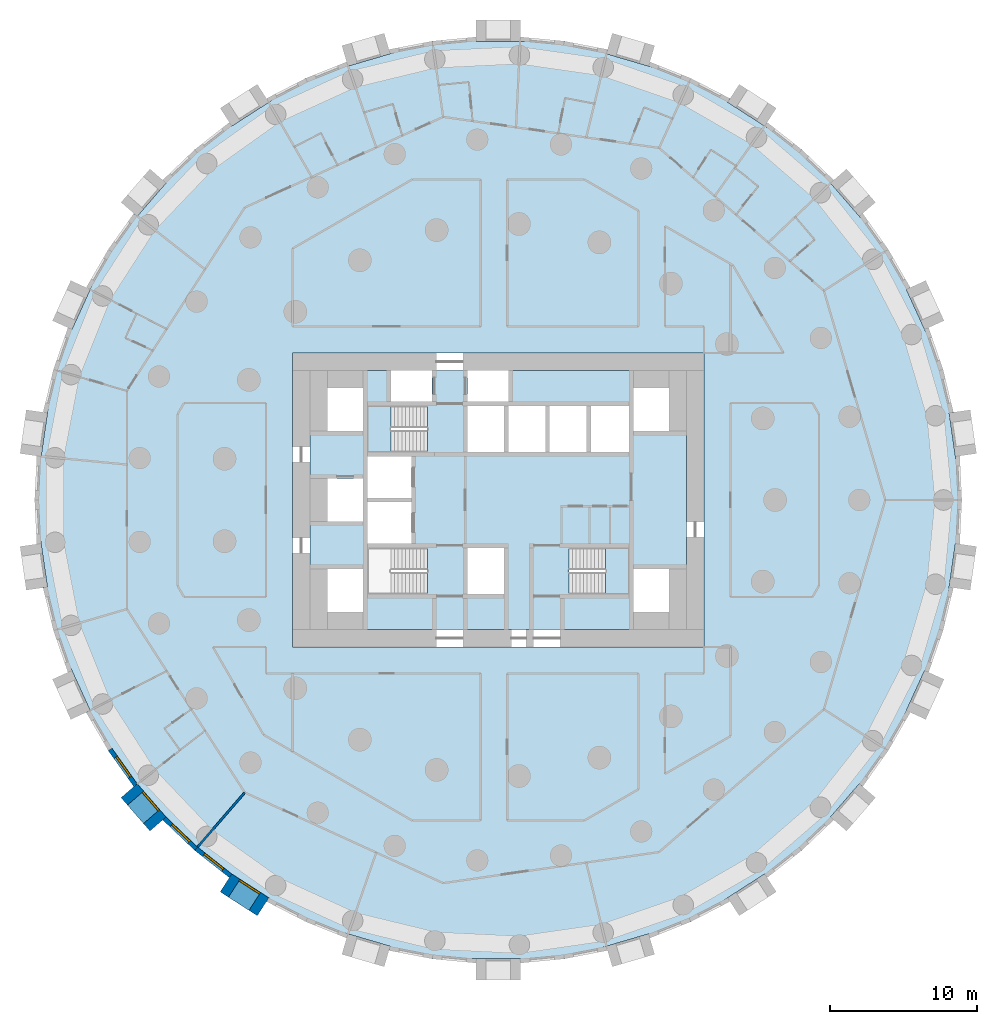
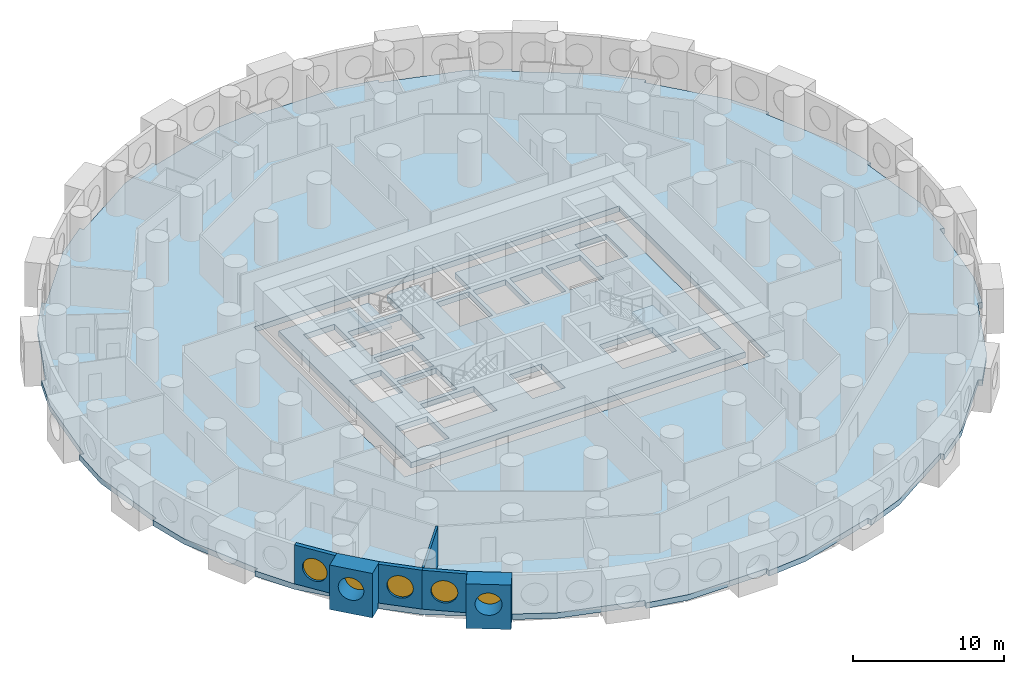
# One storey, part 2 of 12: 6 walls, 5 windows, 4 slabs, 5 openings, 2 elements without a shape of their own.
"""IFC4 building model written with IfcOpenShell, lengths in metres."""

from ifc_helpers import new_model, si_unit, direction, frame, frame_2d, origin, origin_2d, place, context, subcontext, project, spatial, polyline, rectangle, circle, outline, extrude, material, layer, layer_set, type_object, element, fill, aggregate, save


model = new_model("IFC4")

# Units and contexts
model_context = context("Model", 3, precision=1e-05, world=origin(), true_north=direction((0.0, 1.0)))
body_context = subcontext(model_context, "Body", "Model", "MODEL_VIEW")
ifc_project = project(units=[si_unit("LENGTHUNIT", "METRE"), si_unit("AREAUNIT", "SQUARE_METRE"), si_unit("VOLUMEUNIT", "CUBIC_METRE"), si_unit("PLANEANGLEUNIT", "RADIAN"), si_unit("MASSUNIT", "GRAM", prefix="KILO")], contexts=[model_context])

# Site, building, storey
site_placement = place(None, origin())
site = spatial("IfcSite", under=ifc_project, at=site_placement, CompositionType="ELEMENT")
building_placement = place(site_placement, origin())
building = spatial("IfcBuilding", under=site, at=building_placement, Name="Tracery Tower", CompositionType="ELEMENT")
storey_placement = place(building_placement, frame((0.0, 0.0, 57.0)))
storey = spatial("IfcBuildingStorey", under=building, at=storey_placement, Name="L13", CompositionType="ELEMENT", Elevation=57.0)

# Slabs
ifc_material_1 = material(Name="Concrete C60/75", Category="concrete")
ifc_layer_1 = layer(ifc_material_1, 0.449951171875)
ifc_layer_set_1 = layer_set([ifc_layer_1], Name="Core floor slab 450 C60")
slab_type_1 = type_object("IfcSlabType", Name="Core floor slab 450 C60", PredefinedType="FLOOR", material=ifc_layer_set_1)
slab_1_placement = place(storey_placement, frame((0.0, 0.0, -0.449951171875)))
element("IfcSlab", 1, at=slab_1_placement, inside=storey, type_object=slab_type_1, Name="L13 core floor 1", PredefinedType="FLOOR", context=body_context, shape_type="SweptSolid", body=[
    extrude(outline(polyline([(-12.800048828125, 8.800048828125), (-7.300048828125, 8.800048828125), (-7.300048828125, 6.699951171875), (-4.5, 6.699951171875), (-4.5, 8.800048828125), (-2.10009765625, 8.800048828125), (-2.10009765625, 6.699951171875), (0.699951171875, 6.699951171875), (0.699951171875, 8.800048828125), (12.800048828125, 8.800048828125), (12.800048828125, -8.800048828125), (-12.800048828125, -8.800048828125), (-12.800048828125, 8.800048828125)]), holes=[polyline([(11.60009765625, -7.60009765625), (11.60009765625, -4.699951171875), (9.199951171875, -4.699951171875), (9.199951171875, -7.60009765625), (11.60009765625, -7.60009765625)]), polyline([(11.60009765625, 4.699951171875), (11.60009765625, 7.60009765625), (9.199951171875, 7.60009765625), (9.199951171875, 4.699951171875), (11.60009765625, 4.699951171875)]), polyline([(4.800537109375, -3.25), (4.800537109375, -6.39990234375), (8.89990234375, -6.39990234375), (8.89990234375, -3.25), (4.800537109375, -3.25)]), polyline([(6.300048828125, 3.25), (8.89990234375, 3.25), (8.89990234375, 6.39990234375), (6.300048828125, 6.39990234375), (6.300048828125, 3.25)]), polyline([(3.5, 3.25), (6.0, 3.25), (6.0, 6.39990234375), (3.5, 6.39990234375), (3.5, 3.25)]), polyline([(3.199951171875, 3.25), (3.199951171875, 6.39990234375), (0.699951171875, 6.39990234375), (0.699951171875, 3.25), (3.199951171875, 3.25)]), polyline([(-2.10009765625, 3.25), (0.39990234375, 3.25), (0.39990234375, 6.39990234375), (-2.10009765625, 6.39990234375), (-2.10009765625, 3.25)]), polyline([(0.39990234375, -6.39990234375), (0.39990234375, -3.25), (-2.10009765625, -3.25), (-2.10009765625, -6.39990234375), (0.39990234375, -6.39990234375)]), polyline([(-4.800537109375, -3.25), (-8.89990234375, -3.25), (-8.89990234375, -6.39990234375), (-4.800537109375, -6.39990234375), (-4.800537109375, -3.25)]), polyline([(-4.800537109375, 6.39990234375), (-8.89990234375, 6.39990234375), (-8.89990234375, 3.25), (-4.800537109375, 3.25), (-4.800537109375, 6.39990234375)]), polyline([(-8.89990234375, -2.949951171875), (-5.89990234375, -2.949951171875), (-5.89990234375, -0.14990234375), (-8.89990234375, -0.14990234375), (-8.89990234375, -2.949951171875)]), polyline([(-5.89990234375, 0.14990234375), (-5.89990234375, 2.949951171875), (-8.89990234375, 2.949951171875), (-8.89990234375, 0.14990234375), (-5.89990234375, 0.14990234375)]), polyline([(-11.60009765625, 4.699951171875), (-9.199951171875, 4.699951171875), (-9.199951171875, 7.60009765625), (-11.60009765625, 7.60009765625), (-11.60009765625, 4.699951171875)]), polyline([(-9.199951171875, -7.60009765625), (-9.199951171875, -4.699951171875), (-11.60009765625, -4.699951171875), (-11.60009765625, -7.60009765625), (-9.199951171875, -7.60009765625)]), polyline([(-9.199951171875, -1.449951171875), (-9.199951171875, 1.449951171875), (-11.60009765625, 1.449951171875), (-11.60009765625, -1.449951171875), (-9.199951171875, -1.449951171875)])]), origin(), (0.0, 0.0, 1.0), 0.449951171875),
])
ifc_material_2 = material(Name="Concrete C50/60", Category="concrete")
ifc_layer_2 = layer(ifc_material_2, 0.449951171875)
ifc_layer_set_2 = layer_set([ifc_layer_2], Name="Floor slab 450")
slab_type_2 = type_object("IfcSlabType", Name="Floor slab 450", PredefinedType="FLOOR", material=ifc_layer_set_2)
slab_2_placement = place(storey_placement, frame((0.0, 0.0, -0.449951171875)))
element("IfcSlab", 2, at=slab_2_placement, inside=storey, type_object=slab_type_2, Name="Floor slab L13", PredefinedType="FLOOR", context=body_context, shape_type="SweptSolid", body=[
    extrude(outline(polyline([(31.0849609375, 2.953857421875), (31.0849609375, 2.953857421875), (30.673583984375, 5.814697265625), (30.659912109375, 5.9091796875), (30.659912109375, 5.9091796875), (30.657958984375, 5.92333984375), (30.954345703125, 5.966064453125), (30.954833984375, 5.966064453125), (30.24755859375, 8.881591796875), (28.99365234375, 11.591796875), (28.993408203125, 11.591796875), (28.74609375, 12.1337890625), (27.753173828125, 14.307861328125), (27.753173828125, 14.307861328125), (27.747314453125, 14.32080078125), (28.020263671875, 14.4453125), (26.520263671875, 17.04345703125), (24.55322265625, 19.290771484375), (24.55322265625, 19.290771484375), (22.588623046875, 21.55810546875), (22.814697265625, 21.75390625), (22.8154296875, 21.75439453125), (20.644287109375, 23.82470703125), (18.123779296875, 25.4267578125), (18.123779296875, 25.4267578125), (18.12060546875, 25.428955078125), (18.11181640625, 25.4345703125), (15.612060546875, 27.041015625), (15.612060546875, 27.041015625), (15.60009765625, 27.048583984375), (15.76220703125, 27.301025390625), (13.095703125, 28.67578125), (10.226318359375, 29.5029296875), (10.226318359375, 29.5029296875), (7.34765625, 30.34814453125), (7.43212890625, 30.6357421875), (7.43212890625, 30.635986328125), (4.486328125, 31.20361328125), (1.5, 31.18896484375), (1.5, 31.18896484375), (-1.5, 31.18896484375), (-1.5, 31.489013671875), (-4.486328125, 31.20361328125), (-7.34765625, 30.34814453125), (-7.34765625, 30.34814453125), (-10.226318359375, 29.5029296875), (-10.310791015625, 29.790771484375), (-10.310791015625, 29.790771484375), (-13.095703125, 28.67578125), (-15.60009765625, 27.048828125), (-15.60009765625, 27.048583984375), (-15.60888671875, 27.04296875), (-15.612060546875, 27.041015625), (-18.11181640625, 25.4345703125), (-18.11181640625, 25.4345703125), (-18.123779296875, 25.4267578125), (-18.285888671875, 25.6787109375), (-18.2861328125, 25.67919921875), (-20.644287109375, 23.82470703125), (-22.5888671875, 21.55810546875), (-22.588623046875, 21.55810546875), (-24.55322265625, 19.290771484375), (-24.77978515625, 19.487060546875), (-24.780029296875, 19.4873046875), (-26.520263671875, 17.04345703125), (-27.747314453125, 14.32080078125), (-27.747314453125, 14.32080078125), (-27.751708984375, 14.311279296875), (-27.753173828125, 14.307861328125), (-28.74609375, 12.1337890625), (-28.993408203125, 11.591796875), (-29.266357421875, 11.716552734375), (-30.24755859375, 8.881591796875), (-30.657958984375, 5.92333984375), (-30.657958984375, 5.92333984375), (-30.659912109375, 5.909423828125), (-30.659912109375, 5.9091796875), (-30.673583984375, 5.814697265625), (-31.0849609375, 2.953857421875), (-31.381591796875, 2.99658203125), (-31.3818359375, 2.99658203125), (-31.524658203125, 0.0), (-31.0849609375, -2.953857421875), (-31.0849609375, -2.953857421875), (-30.673583984375, -5.814697265625), (-30.659912109375, -5.9091796875), (-30.659912109375, -5.9091796875), (-30.657958984375, -5.92333984375), (-30.954345703125, -5.966064453125), (-30.954833984375, -5.966064453125), (-30.24755859375, -8.881591796875), (-28.99365234375, -11.591796875), (-28.993408203125, -11.591796875), (-28.74609375, -12.1337890625), (-27.753173828125, -14.307861328125), (-27.753173828125, -14.307861328125), (-27.747314453125, -14.32080078125), (-28.020263671875, -14.4453125), (-26.520263671875, -17.04345703125), (-24.55322265625, -19.290771484375), (-24.55322265625, -19.290771484375), (-22.588623046875, -21.55810546875), (-22.814697265625, -21.75390625), (-22.8154296875, -21.75439453125), (-20.644287109375, -23.82470703125), (-18.123779296875, -25.4267578125), (-18.123779296875, -25.4267578125), (-18.12060546875, -25.428955078125), (-18.11181640625, -25.4345703125), (-15.612060546875, -27.041015625), (-15.612060546875, -27.041015625), (-15.60009765625, -27.048583984375), (-15.76220703125, -27.301025390625), (-13.095703125, -28.67578125), (-10.226318359375, -29.5029296875), (-10.226318359375, -29.5029296875), (-7.34765625, -30.34814453125), (-7.43212890625, -30.6357421875), (-7.43212890625, -30.635986328125), (-4.486328125, -31.20361328125), (-1.5, -31.18896484375), (-1.5, -31.18896484375), (1.5, -31.18896484375), (1.5, -31.489013671875), (4.486328125, -31.20361328125), (7.34765625, -30.34814453125), (7.34765625, -30.34814453125), (10.226318359375, -29.5029296875), (10.310791015625, -29.790771484375), (10.310791015625, -29.790771484375), (13.095703125, -28.67578125), (15.60009765625, -27.048828125), (15.60009765625, -27.048583984375), (15.60888671875, -27.04296875), (15.612060546875, -27.041015625), (18.11181640625, -25.4345703125), (18.11181640625, -25.4345703125), (18.123779296875, -25.4267578125), (18.285888671875, -25.6787109375), (18.2861328125, -25.67919921875), (20.644287109375, -23.82470703125), (22.5888671875, -21.55810546875), (22.588623046875, -21.55810546875), (24.55322265625, -19.290771484375), (24.77978515625, -19.487060546875), (24.780029296875, -19.4873046875), (26.520263671875, -17.04345703125), (27.747314453125, -14.32080078125), (27.747314453125, -14.32080078125), (27.751708984375, -14.311279296875), (27.753173828125, -14.307861328125), (28.74609375, -12.1337890625), (28.993408203125, -11.591796875), (29.266357421875, -11.716552734375), (30.24755859375, -8.881591796875), (30.657958984375, -5.92333984375), (30.657958984375, -5.92333984375), (30.659912109375, -5.909423828125), (30.659912109375, -5.9091796875), (30.673583984375, -5.814697265625), (31.0849609375, -2.953857421875), (31.381591796875, -2.99658203125), (31.3818359375, -2.99658203125), (31.524658203125, 0.0), (31.0849609375, 2.953857421875)]), holes=[polyline([(-14.0, -10.0), (14.0, -10.0), (14.0, 10.0), (-14.0, 10.0), (-14.0, -10.0)])]), origin(), (0.0, 0.0, 1.0), 0.449951171875),
])

# Stair, slab
ifc_material_3 = material(Name="Concrete C32/40", Category="concrete")
stair_type = type_object("IfcStairType", Name="Core stair 22 risers", PredefinedType="HALF_TURN_STAIR", material=ifc_material_3)
stair_1_placement = place(storey_placement, origin())
stair_1 = element("IfcStair", 3, at=stair_1_placement, inside=storey, type_object=stair_type, Name="L13 stair ST3", PredefinedType="HALF_TURN_STAIR")
ifc_material_4 = material(Name="Concrete C32/40", Category="concrete")
ifc_layer_3 = layer(ifc_material_4, 0.199951171875)
ifc_layer_set_3 = layer_set([ifc_layer_3], Name="Stair landing slab 200")
slab_type_3 = type_object("IfcSlabType", Name="Stair landing slab 200", PredefinedType="LANDING", material=ifc_layer_set_3)
slab_3_placement = place(storey_placement, frame((0.0, 0.0, 1.60009765625)))
slab_3 = element("IfcSlab", 4, at=slab_3_placement, type_object=slab_type_3, Name="ST3 landing 1", PredefinedType="LANDING", context=body_context, shape_type="SweptSolid", body=[
    extrude(outline(polyline([(-7.29931640625, 6.39990234375), (-8.89990234375, 6.39990234375), (-8.89990234375, 3.25), (-7.29931640625, 3.25), (-7.29931640625, 6.39990234375)])), origin(), (0.0, 0.0, 1.0), 0.199951171875),
])
aggregate(stair_1, [slab_3])

stair_2_placement = place(storey_placement, origin())
stair_2 = element("IfcStair", 5, at=stair_2_placement, inside=storey, type_object=stair_type, Name="L13 stair ST2", PredefinedType="HALF_TURN_STAIR")
slab_4_placement = place(storey_placement, frame((0.0, 0.0, 1.60009765625)))
slab_4 = element("IfcSlab", 6, at=slab_4_placement, type_object=slab_type_3, Name="ST2 landing 1", PredefinedType="LANDING", context=body_context, shape_type="SweptSolid", body=[
    extrude(outline(polyline([(7.29931640625, -6.39990234375), (8.89990234375, -6.39990234375), (8.89990234375, -3.25), (7.29931640625, -3.25), (7.29931640625, -6.39990234375)])), origin(), (0.0, 0.0, 1.0), 0.199951171875),
])
aggregate(stair_2, [slab_4])

# Wall, opening, window
ifc_material_5 = material(Name="Precast concrete C50/60", Category="concrete")
ifc_layer_4 = layer(ifc_material_5, 1.449951171875)
ifc_layer_set_4 = layer_set([ifc_layer_4], Name="Deep-set bay unit 3000 x 3600, slab edge 450")
wall_type_1 = type_object("IfcWallType", Name="Deep-set bay unit 3000 x 3600, slab edge 450", PredefinedType="ELEMENTEDWALL", material=ifc_layer_set_4)
wall_1_placement = place(storey_placement, frame((-25.101318359375, -19.765625, -0.449951171875), z_axis=(0.0, 0.0, 1.0), x_axis=(0.654890259022, -0.75572398972, 0.0)))
wall_1 = element("IfcWall", 7, at=wall_1_placement, inside=storey, type_object=wall_type_1, Name="Deep-set bay unit 41 at L13", PredefinedType="ELEMENTEDWALL", context=body_context, shape_type="SweptSolid", body=[
    extrude(rectangle(XDim=3.0, YDim=1.449951171875, at=frame_2d((1.5, 0.0))), origin(), (0.0, 0.0, 1.0), 3.599853515625),
])
opening_1_placement = place(wall_1_placement, frame((1.5, 0.0, 2.0)))
opening_1 = element("IfcOpeningElement", 8, at=opening_1_placement, cuts=wall_1, Name="Opening WN1", PredefinedType="OPENING", context=body_context, shape_type="SweptSolid", body=[
    extrude(circle(Radius=0.9000244140625, at=origin_2d()), frame((0.0, 0.73486328125, 0.0), z_axis=(0.0, -1.0, 0.0), x_axis=(1.0, 0.0, 0.0)), (0.0, 0.0, 1.0), 1.469970703125),
])
ifc_material_6 = material(Name="Aluminium frame with tinted double glazing", Category="aluminium")
window_type = type_object("IfcWindowType", Name="Round window 1800", PartitioningType="SINGLE_PANEL", PredefinedType="WINDOW", material=ifc_material_6)
window_1_placement = place(opening_1_placement, origin())
window_1 = element("IfcWindow", 9, at=window_1_placement, inside=storey, type_object=window_type, Name="Round window 41 at L13", OverallHeight=1.800048828125, OverallWidth=1.800048828125, PartitioningType="SINGLE_PANEL", PredefinedType="WINDOW", context=body_context, shape_type="SweptSolid", body=[
    extrude(circle(Radius=0.9000244140625, at=origin_2d()), frame((0.0, 0.69482421875, 0.0), z_axis=(0.0, -1.0, 0.0), x_axis=(1.0, 0.0, 0.0)), (0.0, 0.0, 1.0), 0.10009765625),
])
fill(opening_1, window_1)

wall_2_placement = place(storey_placement, frame((-18.515869140625, -26.03662109375, -0.449951171875), z_axis=(0.0, 0.0, 1.0), x_axis=(0.841223422347, -0.540687667415, 0.0)))
wall_2 = element("IfcWall", 10, at=wall_2_placement, inside=storey, type_object=wall_type_1, Name="Deep-set bay unit 44 at L13", PredefinedType="ELEMENTEDWALL", context=body_context, shape_type="SweptSolid", body=[
    extrude(rectangle(XDim=3.0, YDim=1.449951171875, at=frame_2d((1.5, 0.0))), origin(), (0.0, 0.0, 1.0), 3.599853515625),
])
opening_2_placement = place(wall_2_placement, frame((1.5, 0.0, 2.0)))
opening_2 = element("IfcOpeningElement", 11, at=opening_2_placement, cuts=wall_2, Name="Opening WN1", PredefinedType="OPENING", context=body_context, shape_type="SweptSolid", body=[
    extrude(circle(Radius=0.9000244140625, at=origin_2d()), frame((0.0, 0.73486328125, 0.0), z_axis=(0.0, -1.0, 0.0), x_axis=(1.0, 0.0, 0.0)), (0.0, 0.0, 1.0), 1.469970703125),
])
window_2_placement = place(opening_2_placement, origin())
window_2 = element("IfcWindow", 12, at=window_2_placement, inside=storey, type_object=window_type, Name="Round window 44 at L13", OverallHeight=1.800048828125, OverallWidth=1.800048828125, PartitioningType="SINGLE_PANEL", PredefinedType="WINDOW", context=body_context, shape_type="SweptSolid", body=[
    extrude(circle(Radius=0.9000244140625, at=origin_2d()), frame((0.0, 0.69482421875, 0.0), z_axis=(0.0, -1.0, 0.0), x_axis=(1.0, 0.0, 0.0)), (0.0, 0.0, 1.0), 0.10009765625),
])
fill(opening_2, window_2)

ifc_material_7 = material(Name="Precast concrete C50/60", Category="concrete")
ifc_layer_5 = layer(ifc_material_7, 0.300048828125)
ifc_layer_set_5 = layer_set([ifc_layer_5], Name="Facade panel 3000 x 3150")
wall_type_2 = type_object("IfcWallType", Name="Facade panel 3000 x 3150", PredefinedType="SOLIDWALL", material=ifc_layer_set_5)
wall_3_placement = place(storey_placement, frame((-26.393798828125, -16.96240234375, 0.0), z_axis=(0.0, 0.0, 1.0), x_axis=(0.580059407678, -0.81457417315, 0.0)))
wall_3 = element("IfcWall", 13, at=wall_3_placement, inside=storey, type_object=wall_type_2, Name="Facade panel 40 at L13", PredefinedType="SOLIDWALL", context=body_context, shape_type="SweptSolid", body=[
    extrude(rectangle(XDim=2.9794921875, YDim=0.300048828125, at=frame_2d((1.48974609375, 0.0))), origin(), (0.0, 0.0, 1.0), 3.14990234375),
])
opening_3_placement = place(wall_3_placement, frame((1.48974609375, 0.0, 1.5498046875)))
opening_3 = element("IfcOpeningElement", 14, at=opening_3_placement, cuts=wall_3, Name="Opening WN1", PredefinedType="OPENING", context=body_context, shape_type="SweptSolid", body=[
    extrude(circle(Radius=0.9000244140625, at=origin_2d()), frame((0.0, 0.159912109375, 0.0), z_axis=(0.0, -1.0, 0.0), x_axis=(1.0, 0.0, 0.0)), (0.0, 0.0, 1.0), 0.320068359375),
])
window_3_placement = place(opening_3_placement, origin())
window_3 = element("IfcWindow", 15, at=window_3_placement, inside=storey, type_object=window_type, Name="Round window 40 at L13", OverallHeight=1.800048828125, OverallWidth=1.800048828125, PartitioningType="SINGLE_PANEL", PredefinedType="WINDOW", context=body_context, shape_type="SweptSolid", body=[
    extrude(circle(Radius=0.9000244140625, at=origin_2d()), frame((0.0, 0.1201171875, 0.0), z_axis=(0.0, -1.0, 0.0), x_axis=(1.0, 0.0, 0.0)), (0.0, 0.0, 1.0), 0.10009765625),
])
fill(opening_3, window_3)

wall_4_placement = place(storey_placement, frame((-22.702392578125, -21.655029296875, 0.0), z_axis=(0.0, 0.0, 1.0), x_axis=(0.723744206617, -0.690068346896, 0.0)))
wall_4 = element("IfcWall", 16, at=wall_4_placement, inside=storey, type_object=wall_type_2, Name="Facade panel 42 at L13", PredefinedType="SOLIDWALL", context=body_context, shape_type="SweptSolid", body=[
    extrude(rectangle(XDim=2.979736328125, YDim=0.300048828125, at=frame_2d((1.48974609375, 0.0))), origin(), (0.0, 0.0, 1.0), 3.14990234375),
])
opening_4_placement = place(wall_4_placement, frame((1.48974609375, 0.0, 1.5498046875)))
opening_4 = element("IfcOpeningElement", 17, at=opening_4_placement, cuts=wall_4, Name="Opening WN1", PredefinedType="OPENING", context=body_context, shape_type="SweptSolid", body=[
    extrude(circle(Radius=0.9000244140625, at=origin_2d()), frame((0.0, 0.159912109375, 0.0), z_axis=(0.0, -1.0, 0.0), x_axis=(1.0, 0.0, 0.0)), (0.0, 0.0, 1.0), 0.320068359375),
])
window_4_placement = place(opening_4_placement, origin())
window_4 = element("IfcWindow", 18, at=window_4_placement, inside=storey, type_object=window_type, Name="Round window 42 at L13", OverallHeight=1.800048828125, OverallWidth=1.800048828125, PartitioningType="SINGLE_PANEL", PredefinedType="WINDOW", context=body_context, shape_type="SweptSolid", body=[
    extrude(circle(Radius=0.9000244140625, at=origin_2d()), frame((0.0, 0.1201171875, 0.0), z_axis=(0.0, -1.0, 0.0), x_axis=(1.0, 0.0, 0.0)), (0.0, 0.0, 1.0), 0.10009765625),
])
fill(opening_4, window_4)

wall_5_placement = place(storey_placement, frame((-20.5458984375, -23.711181640625, 0.0), z_axis=(0.0, 0.0, 1.0), x_axis=(0.786045331304, -0.618168858108, 0.0)))
wall_5 = element("IfcWall", 19, at=wall_5_placement, inside=storey, type_object=wall_type_2, Name="Facade panel 43 at L13", PredefinedType="SOLIDWALL", context=body_context, shape_type="SweptSolid", body=[
    extrude(rectangle(XDim=2.979736328125, YDim=0.300048828125, at=frame_2d((1.48974609375, 0.0))), origin(), (0.0, 0.0, 1.0), 3.14990234375),
])
opening_5_placement = place(wall_5_placement, frame((1.48974609375, 0.0, 1.5498046875)))
opening_5 = element("IfcOpeningElement", 20, at=opening_5_placement, cuts=wall_5, Name="Opening WN1", PredefinedType="OPENING", context=body_context, shape_type="SweptSolid", body=[
    extrude(circle(Radius=0.9000244140625, at=origin_2d()), frame((0.0, 0.159912109375, 0.0), z_axis=(0.0, -1.0, 0.0), x_axis=(1.0, 0.0, 0.0)), (0.0, 0.0, 1.0), 0.320068359375),
])
window_5_placement = place(opening_5_placement, origin())
window_5 = element("IfcWindow", 21, at=window_5_placement, inside=storey, type_object=window_type, Name="Round window 43 at L13", OverallHeight=1.800048828125, OverallWidth=1.800048828125, PartitioningType="SINGLE_PANEL", PredefinedType="WINDOW", context=body_context, shape_type="SweptSolid", body=[
    extrude(circle(Radius=0.9000244140625, at=origin_2d()), frame((0.0, 0.1201171875, 0.0), z_axis=(0.0, -1.0, 0.0), x_axis=(1.0, 0.0, 0.0)), (0.0, 0.0, 1.0), 0.10009765625),
])
fill(opening_5, window_5)

# Wall
ifc_material_8 = material(Name="Plasterboard on steel studs", Category="steel")
ifc_layer_6 = layer(ifc_material_8, 0.14990234375)
ifc_layer_set_6 = layer_set([ifc_layer_6], Name="Partition 150 acoustic unit wall")
wall_type_3 = type_object("IfcWallType", Name="Partition 150 acoustic unit wall", PredefinedType="PARTITIONING", material=ifc_layer_set_6)
wall_6_placement = place(storey_placement, frame((-20.447998046875, -23.597900390625, 0.0), z_axis=(0.0, 0.0, 1.0), x_axis=(0.654847179409, 0.755761319214, 0.0)))
element("IfcWall", 22, at=wall_6_placement, inside=storey, type_object=wall_type_3, Name="Unit wall RA3-099", PredefinedType="PARTITIONING", context=body_context, shape_type="SweptSolid", body=[
    extrude(rectangle(XDim=4.90625, YDim=0.14990234375, at=frame_2d((2.453125, 0.0))), origin(), (0.0, 0.0, 1.0), 3.14990234375),
])

save(model, "model.ifc")
